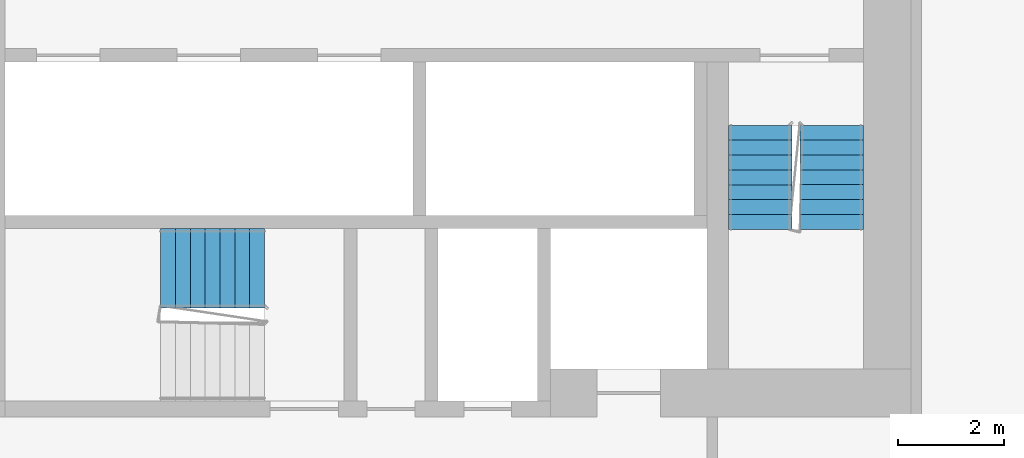
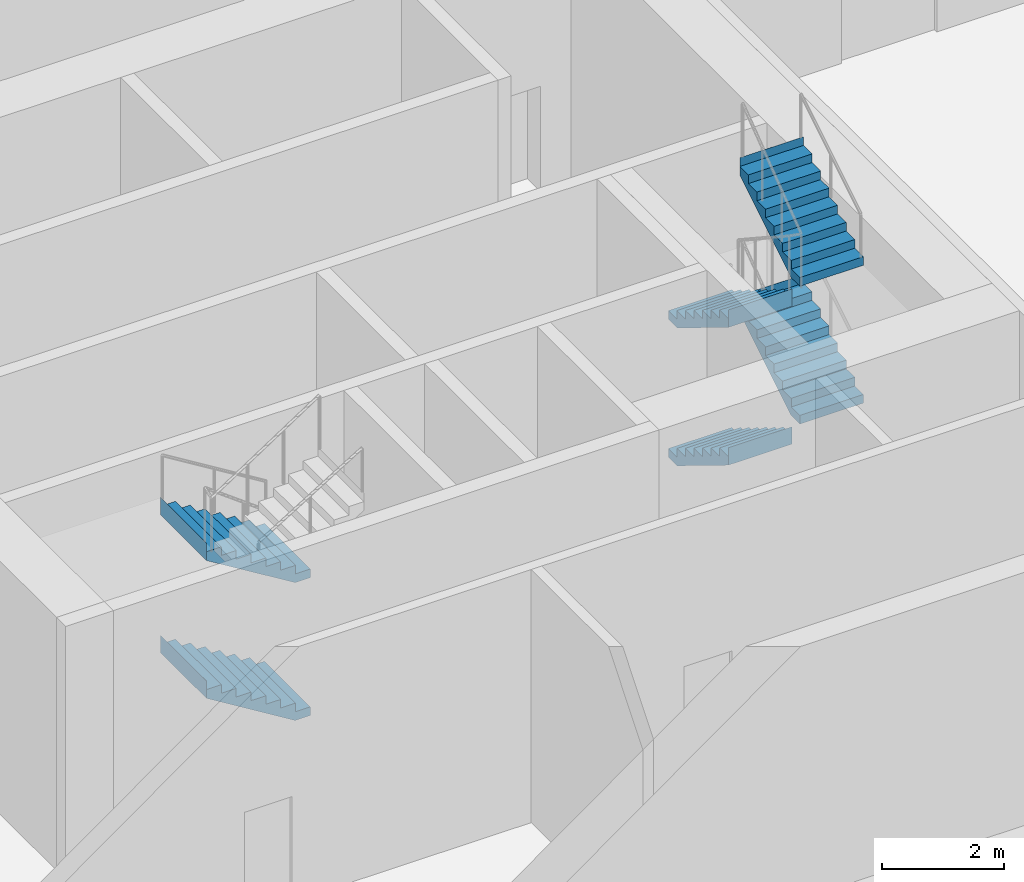
# One storey, part 15 of 21: 6 stair flights, 2 elements without a shape of their own.
"""IFC4 building model written with IfcOpenShell, lengths in metres."""

from ifc_helpers import new_model, si_unit, direction, frame, origin, place, context, subcontext, project, spatial, faceted_brep, material, type_object, element, aggregate, save


model = new_model("IFC4")

# Units and contexts
model_context = context("Model", 3, precision=1e-05, world=origin(), true_north=direction((0.0, 1.0)))
body_context = subcontext(model_context, "Body", "Model", "MODEL_VIEW")
ifc_project = project(units=[si_unit("LENGTHUNIT", "METRE"), si_unit("AREAUNIT", "SQUARE_METRE"), si_unit("VOLUMEUNIT", "CUBIC_METRE"), si_unit("PLANEANGLEUNIT", "RADIAN"), si_unit("MASSUNIT", "GRAM", prefix="KILO")], contexts=[model_context])

# Site, building, storey
site_placement = place(None, origin())
site = spatial("IfcSite", under=ifc_project, at=site_placement, CompositionType="ELEMENT")
building_placement = place(site_placement, origin())
building = spatial("IfcBuilding", under=site, at=building_placement, Name="Kajstack Hotel Tower", CompositionType="ELEMENT")
storey_placement = place(building_placement, frame((0.0, 0.0, 23.5)))
storey = spatial("IfcBuildingStorey", under=building, at=storey_placement, Name="L03", CompositionType="ELEMENT", Elevation=23.5)

# Stair, stair flights
ifc_material = material(Name="Concrete C40/50", Category="concrete")
stair_type_1 = type_object("IfcStairType", Name="Exit stair 1200", PredefinedType="HALF_TURN_STAIR", material=ifc_material)
stair_1_placement = place(storey_placement, origin())
stair_1 = element("IfcStair", 1, at=stair_1_placement, inside=storey, type_object=stair_type_1, Name="L03 stair W2", PredefinedType="HALF_TURN_STAIR")
stair_flight_type_1 = type_object("IfcStairFlightType", Name="Exit stair flight 1200", PredefinedType="STRAIGHT", material=ifc_material)
stair_flight_1_placement = place(storey_placement, frame((-16.35009765625, -10.0, 0.0), z_axis=(0.0, 0.0, 1.0), x_axis=(0.0, -1.0, 0.0)))
stair_flight_1 = element("IfcStairFlight", 2, at=stair_flight_1_placement, type_object=stair_flight_type_1, Name="W2 flight 1", NumberOfRisers=8, NumberOfTreads=7, PredefinedType="STRAIGHT", RiserHeight=0.171875, TreadLength=0.28, context=body_context, shape_type="Brep", body=[
    faceted_brep([(0.287109375, -0.60009765625, 0.0), (1.96044921875, -0.60009765625, 1.02734375), (1.96044921875, -0.60009765625, 1.375), (1.9599609375, -0.60009765625, 1.375), (1.9599609375, -0.60009765625, 1.203125), (1.679931640625, -0.60009765625, 1.203125), (1.679931640625, -0.60009765625, 1.03125), (1.39990234375, -0.60009765625, 1.03125), (1.39990234375, -0.60009765625, 0.859375), (1.1201171875, -0.60009765625, 0.859375), (1.1201171875, -0.60009765625, 0.6875), (0.840087890625, -0.60009765625, 0.6875), (0.840087890625, -0.60009765625, 0.515625), (0.56005859375, -0.60009765625, 0.515625), (0.56005859375, -0.60009765625, 0.34375), (0.280029296875, -0.60009765625, 0.34375), (0.280029296875, -0.60009765625, 0.171875), (-0.00048828125, -0.60009765625, 0.171875), (-0.00048828125, -0.60009765625, 0.0), (-0.00048828125, 0.60009765625, 0.0), (-0.00048828125, 0.60009765625, 0.171875), (0.280029296875, 0.60009765625, 0.171875), (0.280029296875, 0.60009765625, 0.34375), (0.56005859375, 0.60009765625, 0.34375), (0.56005859375, 0.60009765625, 0.515625), (0.840087890625, 0.60009765625, 0.515625), (0.840087890625, 0.60009765625, 0.6875), (1.1201171875, 0.60009765625, 0.6875), (1.1201171875, 0.60009765625, 0.859375), (1.39990234375, 0.60009765625, 0.859375), (1.39990234375, 0.60009765625, 1.03125), (1.679931640625, 0.60009765625, 1.03125), (1.679931640625, 0.60009765625, 1.203125), (1.9599609375, 0.60009765625, 1.203125), (1.9599609375, 0.60009765625, 1.375), (1.96044921875, 0.60009765625, 1.375), (1.96044921875, 0.60009765625, 1.02734375), (0.287109375, 0.60009765625, 0.0), (-0.00048828125, -0.300048828125, 0.171875), (-0.00048828125, 0.0, 0.171875), (-0.00048828125, 0.300048828125, 0.171875), (-0.00048828125, 0.300048828125, 0.0), (-0.00048828125, 0.0, 0.0), (-0.00048828125, -0.300048828125, 0.0), (0.280029296875, -0.300048828125, 0.171875), (0.280029296875, 0.0, 0.171875), (0.280029296875, 0.300048828125, 0.171875), (0.280029296875, -0.300048828125, 0.34375), (0.280029296875, 0.0, 0.34375), (0.280029296875, 0.300048828125, 0.34375), (0.56005859375, -0.300048828125, 0.34375), (0.56005859375, 0.0, 0.34375), (0.56005859375, 0.300048828125, 0.34375), (0.56005859375, -0.300048828125, 0.515625), (0.56005859375, 0.0, 0.515625), (0.56005859375, 0.300048828125, 0.515625), (0.840087890625, -0.300048828125, 0.515625), (0.840087890625, 0.0, 0.515625), (0.840087890625, 0.300048828125, 0.515625), (0.840087890625, -0.300048828125, 0.6875), (0.840087890625, 0.0, 0.6875), (0.840087890625, 0.300048828125, 0.6875), (1.1201171875, -0.300048828125, 0.6875), (1.1201171875, 0.0, 0.6875), (1.1201171875, 0.300048828125, 0.6875), (1.1201171875, -0.300048828125, 0.859375), (1.1201171875, 0.0, 0.859375), (1.1201171875, 0.300048828125, 0.859375), (1.39990234375, -0.300048828125, 0.859375), (1.39990234375, 0.0, 0.859375), (1.39990234375, 0.300048828125, 0.859375), (1.39990234375, -0.300048828125, 1.03125), (1.39990234375, 0.0, 1.03125), (1.39990234375, 0.300048828125, 1.03125), (1.679931640625, -0.300048828125, 1.03125), (1.679931640625, 0.0, 1.03125), (1.679931640625, 0.300048828125, 1.03125), (1.679931640625, -0.300048828125, 1.203125), (1.679931640625, 0.0, 1.203125), (1.679931640625, 0.300048828125, 1.203125), (1.9599609375, -0.300048828125, 1.203125), (1.9599609375, 0.0, 1.203125), (1.9599609375, 0.300048828125, 1.203125), (1.9599609375, -0.300048828125, 1.375), (1.9599609375, 0.0, 1.375), (1.9599609375, 0.300048828125, 1.375), (1.96044921875, -0.300048828125, 1.375), (1.96044921875, 0.0, 1.375), (1.96044921875, 0.300048828125, 1.375), (1.96044921875, -0.300048828125, 1.02734375), (1.96044921875, 0.0, 1.02734375), (1.96044921875, 0.300048828125, 1.02734375), (0.287109375, -0.300048828125, 0.0), (0.287109375, 0.0, 0.0), (0.287109375, 0.300048828125, 0.0)], [[[0, 1, 2, 3, 4, 5, 6, 7, 8, 9, 10, 11, 12, 13, 14, 15, 16, 17, 18]], [[19, 20, 21, 22, 23, 24, 25, 26, 27, 28, 29, 30, 31, 32, 33, 34, 35, 36, 37]], [[17, 38, 39, 40, 20, 19, 41, 42, 43, 18]], [[16, 44, 45, 46, 21, 20, 40, 39, 38, 17]], [[15, 47, 48, 49, 22, 21, 46, 45, 44, 16]], [[14, 50, 51, 52, 23, 22, 49, 48, 47, 15]], [[13, 53, 54, 55, 24, 23, 52, 51, 50, 14]], [[12, 56, 57, 58, 25, 24, 55, 54, 53, 13]], [[11, 59, 60, 61, 26, 25, 58, 57, 56, 12]], [[10, 62, 63, 64, 27, 26, 61, 60, 59, 11]], [[9, 65, 66, 67, 28, 27, 64, 63, 62, 10]], [[8, 68, 69, 70, 29, 28, 67, 66, 65, 9]], [[7, 71, 72, 73, 30, 29, 70, 69, 68, 8]], [[6, 74, 75, 76, 31, 30, 73, 72, 71, 7]], [[5, 77, 78, 79, 32, 31, 76, 75, 74, 6]], [[4, 80, 81, 82, 33, 32, 79, 78, 77, 5]], [[3, 83, 84, 85, 34, 33, 82, 81, 80, 4]], [[2, 86, 87, 88, 35, 34, 85, 84, 83, 3]], [[1, 89, 90, 91, 36, 35, 88, 87, 86, 2]], [[0, 92, 93, 94, 37, 36, 91, 90, 89, 1]], [[18, 43, 42, 41, 19, 37, 94, 93, 92, 0]]]),
])
stair_flight_2_placement = place(storey_placement, frame((-15.0, -11.9599609375, 1.375), z_axis=(0.0, 0.0, 1.0), x_axis=(0.0, 1.0, 0.0)))
stair_flight_2 = element("IfcStairFlight", 3, at=stair_flight_2_placement, type_object=stair_flight_type_1, Name="W2 flight 2", NumberOfRisers=8, NumberOfTreads=7, PredefinedType="STRAIGHT", RiserHeight=0.171875, TreadLength=0.28, context=body_context, shape_type="Brep", body=[
    faceted_brep([(0.287109375, -0.60009765625, 0.0), (1.96044921875, -0.60009765625, 1.02734375), (1.96044921875, -0.60009765625, 1.375), (1.9599609375, -0.60009765625, 1.375), (1.9599609375, -0.60009765625, 1.203125), (1.679931640625, -0.60009765625, 1.203125), (1.679931640625, -0.60009765625, 1.03125), (1.39990234375, -0.60009765625, 1.03125), (1.39990234375, -0.60009765625, 0.859375), (1.1201171875, -0.60009765625, 0.859375), (1.1201171875, -0.60009765625, 0.6875), (0.840087890625, -0.60009765625, 0.6875), (0.840087890625, -0.60009765625, 0.515625), (0.56005859375, -0.60009765625, 0.515625), (0.56005859375, -0.60009765625, 0.34375), (0.280029296875, -0.60009765625, 0.34375), (0.280029296875, -0.60009765625, 0.171875), (-0.00048828125, -0.60009765625, 0.171875), (-0.00048828125, -0.60009765625, 0.0), (-0.00048828125, 0.60009765625, 0.0), (-0.00048828125, 0.60009765625, 0.171875), (0.280029296875, 0.60009765625, 0.171875), (0.280029296875, 0.60009765625, 0.34375), (0.56005859375, 0.60009765625, 0.34375), (0.56005859375, 0.60009765625, 0.515625), (0.840087890625, 0.60009765625, 0.515625), (0.840087890625, 0.60009765625, 0.6875), (1.1201171875, 0.60009765625, 0.6875), (1.1201171875, 0.60009765625, 0.859375), (1.39990234375, 0.60009765625, 0.859375), (1.39990234375, 0.60009765625, 1.03125), (1.679931640625, 0.60009765625, 1.03125), (1.679931640625, 0.60009765625, 1.203125), (1.9599609375, 0.60009765625, 1.203125), (1.9599609375, 0.60009765625, 1.375), (1.96044921875, 0.60009765625, 1.375), (1.96044921875, 0.60009765625, 1.02734375), (0.287109375, 0.60009765625, 0.0), (-0.00048828125, -0.300048828125, 0.171875), (-0.00048828125, 0.0, 0.171875), (-0.00048828125, 0.300048828125, 0.171875), (-0.00048828125, 0.300048828125, 0.0), (-0.00048828125, 0.0, 0.0), (-0.00048828125, -0.300048828125, 0.0), (0.280029296875, -0.300048828125, 0.171875), (0.280029296875, 0.0, 0.171875), (0.280029296875, 0.300048828125, 0.171875), (0.280029296875, -0.300048828125, 0.34375), (0.280029296875, 0.0, 0.34375), (0.280029296875, 0.300048828125, 0.34375), (0.56005859375, -0.300048828125, 0.34375), (0.56005859375, 0.0, 0.34375), (0.56005859375, 0.300048828125, 0.34375), (0.56005859375, -0.300048828125, 0.515625), (0.56005859375, 0.0, 0.515625), (0.56005859375, 0.300048828125, 0.515625), (0.840087890625, -0.300048828125, 0.515625), (0.840087890625, 0.0, 0.515625), (0.840087890625, 0.300048828125, 0.515625), (0.840087890625, -0.300048828125, 0.6875), (0.840087890625, 0.0, 0.6875), (0.840087890625, 0.300048828125, 0.6875), (1.1201171875, -0.300048828125, 0.6875), (1.1201171875, 0.0, 0.6875), (1.1201171875, 0.300048828125, 0.6875), (1.1201171875, -0.300048828125, 0.859375), (1.1201171875, 0.0, 0.859375), (1.1201171875, 0.300048828125, 0.859375), (1.39990234375, -0.300048828125, 0.859375), (1.39990234375, 0.0, 0.859375), (1.39990234375, 0.300048828125, 0.859375), (1.39990234375, -0.300048828125, 1.03125), (1.39990234375, 0.0, 1.03125), (1.39990234375, 0.300048828125, 1.03125), (1.679931640625, -0.300048828125, 1.03125), (1.679931640625, 0.0, 1.03125), (1.679931640625, 0.300048828125, 1.03125), (1.679931640625, -0.300048828125, 1.203125), (1.679931640625, 0.0, 1.203125), (1.679931640625, 0.300048828125, 1.203125), (1.9599609375, -0.300048828125, 1.203125), (1.9599609375, 0.0, 1.203125), (1.9599609375, 0.300048828125, 1.203125), (1.9599609375, -0.300048828125, 1.375), (1.9599609375, 0.0, 1.375), (1.9599609375, 0.300048828125, 1.375), (1.96044921875, -0.300048828125, 1.375), (1.96044921875, 0.0, 1.375), (1.96044921875, 0.300048828125, 1.375), (1.96044921875, -0.300048828125, 1.02734375), (1.96044921875, 0.0, 1.02734375), (1.96044921875, 0.300048828125, 1.02734375), (0.287109375, -0.300048828125, 0.0), (0.287109375, 0.0, 0.0), (0.287109375, 0.300048828125, 0.0)], [[[0, 1, 2, 3, 4, 5, 6, 7, 8, 9, 10, 11, 12, 13, 14, 15, 16, 17, 18]], [[19, 20, 21, 22, 23, 24, 25, 26, 27, 28, 29, 30, 31, 32, 33, 34, 35, 36, 37]], [[17, 38, 39, 40, 20, 19, 41, 42, 43, 18]], [[16, 44, 45, 46, 21, 20, 40, 39, 38, 17]], [[15, 47, 48, 49, 22, 21, 46, 45, 44, 16]], [[14, 50, 51, 52, 23, 22, 49, 48, 47, 15]], [[13, 53, 54, 55, 24, 23, 52, 51, 50, 14]], [[12, 56, 57, 58, 25, 24, 55, 54, 53, 13]], [[11, 59, 60, 61, 26, 25, 58, 57, 56, 12]], [[10, 62, 63, 64, 27, 26, 61, 60, 59, 11]], [[9, 65, 66, 67, 28, 27, 64, 63, 62, 10]], [[8, 68, 69, 70, 29, 28, 67, 66, 65, 9]], [[7, 71, 72, 73, 30, 29, 70, 69, 68, 8]], [[6, 74, 75, 76, 31, 30, 73, 72, 71, 7]], [[5, 77, 78, 79, 32, 31, 76, 75, 74, 6]], [[4, 80, 81, 82, 33, 32, 79, 78, 77, 5]], [[3, 83, 84, 85, 34, 33, 82, 81, 80, 4]], [[2, 86, 87, 88, 35, 34, 85, 84, 83, 3]], [[1, 89, 90, 91, 36, 35, 88, 87, 86, 2]], [[0, 92, 93, 94, 37, 36, 91, 90, 89, 1]], [[18, 43, 42, 41, 19, 37, 94, 93, 92, 0]]]),
])
stair_flight_3_placement = place(storey_placement, frame((-16.35009765625, -10.0, 2.75), z_axis=(0.0, 0.0, 1.0), x_axis=(0.0, -1.0, 0.0)))
stair_flight_3 = element("IfcStairFlight", 4, at=stair_flight_3_placement, type_object=stair_flight_type_1, Name="W2 flight 3", NumberOfRisers=8, NumberOfTreads=7, PredefinedType="STRAIGHT", RiserHeight=0.171875, TreadLength=0.28, context=body_context, shape_type="Brep", body=[
    faceted_brep([(0.287109375, -0.60009765625, 0.0), (1.96044921875, -0.60009765625, 1.02734375), (1.96044921875, -0.60009765625, 1.375), (1.9599609375, -0.60009765625, 1.375), (1.9599609375, -0.60009765625, 1.203125), (1.679931640625, -0.60009765625, 1.203125), (1.679931640625, -0.60009765625, 1.03125), (1.39990234375, -0.60009765625, 1.03125), (1.39990234375, -0.60009765625, 0.859375), (1.1201171875, -0.60009765625, 0.859375), (1.1201171875, -0.60009765625, 0.6875), (0.840087890625, -0.60009765625, 0.6875), (0.840087890625, -0.60009765625, 0.515625), (0.56005859375, -0.60009765625, 0.515625), (0.56005859375, -0.60009765625, 0.34375), (0.280029296875, -0.60009765625, 0.34375), (0.280029296875, -0.60009765625, 0.171875), (-0.00048828125, -0.60009765625, 0.171875), (-0.00048828125, -0.60009765625, 0.0), (-0.00048828125, 0.60009765625, 0.0), (-0.00048828125, 0.60009765625, 0.171875), (0.280029296875, 0.60009765625, 0.171875), (0.280029296875, 0.60009765625, 0.34375), (0.56005859375, 0.60009765625, 0.34375), (0.56005859375, 0.60009765625, 0.515625), (0.840087890625, 0.60009765625, 0.515625), (0.840087890625, 0.60009765625, 0.6875), (1.1201171875, 0.60009765625, 0.6875), (1.1201171875, 0.60009765625, 0.859375), (1.39990234375, 0.60009765625, 0.859375), (1.39990234375, 0.60009765625, 1.03125), (1.679931640625, 0.60009765625, 1.03125), (1.679931640625, 0.60009765625, 1.203125), (1.9599609375, 0.60009765625, 1.203125), (1.9599609375, 0.60009765625, 1.375), (1.96044921875, 0.60009765625, 1.375), (1.96044921875, 0.60009765625, 1.02734375), (0.287109375, 0.60009765625, 0.0), (-0.00048828125, -0.300048828125, 0.171875), (-0.00048828125, 0.0, 0.171875), (-0.00048828125, 0.300048828125, 0.171875), (-0.00048828125, 0.300048828125, 0.0), (-0.00048828125, 0.0, 0.0), (-0.00048828125, -0.300048828125, 0.0), (0.280029296875, -0.300048828125, 0.171875), (0.280029296875, 0.0, 0.171875), (0.280029296875, 0.300048828125, 0.171875), (0.280029296875, -0.300048828125, 0.34375), (0.280029296875, 0.0, 0.34375), (0.280029296875, 0.300048828125, 0.34375), (0.56005859375, -0.300048828125, 0.34375), (0.56005859375, 0.0, 0.34375), (0.56005859375, 0.300048828125, 0.34375), (0.56005859375, -0.300048828125, 0.515625), (0.56005859375, 0.0, 0.515625), (0.56005859375, 0.300048828125, 0.515625), (0.840087890625, -0.300048828125, 0.515625), (0.840087890625, 0.0, 0.515625), (0.840087890625, 0.300048828125, 0.515625), (0.840087890625, -0.300048828125, 0.6875), (0.840087890625, 0.0, 0.6875), (0.840087890625, 0.300048828125, 0.6875), (1.1201171875, -0.300048828125, 0.6875), (1.1201171875, 0.0, 0.6875), (1.1201171875, 0.300048828125, 0.6875), (1.1201171875, -0.300048828125, 0.859375), (1.1201171875, 0.0, 0.859375), (1.1201171875, 0.300048828125, 0.859375), (1.39990234375, -0.300048828125, 0.859375), (1.39990234375, 0.0, 0.859375), (1.39990234375, 0.300048828125, 0.859375), (1.39990234375, -0.300048828125, 1.03125), (1.39990234375, 0.0, 1.03125), (1.39990234375, 0.300048828125, 1.03125), (1.679931640625, -0.300048828125, 1.03125), (1.679931640625, 0.0, 1.03125), (1.679931640625, 0.300048828125, 1.03125), (1.679931640625, -0.300048828125, 1.203125), (1.679931640625, 0.0, 1.203125), (1.679931640625, 0.300048828125, 1.203125), (1.9599609375, -0.300048828125, 1.203125), (1.9599609375, 0.0, 1.203125), (1.9599609375, 0.300048828125, 1.203125), (1.9599609375, -0.300048828125, 1.375), (1.9599609375, 0.0, 1.375), (1.9599609375, 0.300048828125, 1.375), (1.96044921875, -0.300048828125, 1.375), (1.96044921875, 0.0, 1.375), (1.96044921875, 0.300048828125, 1.375), (1.96044921875, -0.300048828125, 1.02734375), (1.96044921875, 0.0, 1.02734375), (1.96044921875, 0.300048828125, 1.02734375), (0.287109375, -0.300048828125, 0.0), (0.287109375, 0.0, 0.0), (0.287109375, 0.300048828125, 0.0)], [[[0, 1, 2, 3, 4, 5, 6, 7, 8, 9, 10, 11, 12, 13, 14, 15, 16, 17, 18]], [[19, 20, 21, 22, 23, 24, 25, 26, 27, 28, 29, 30, 31, 32, 33, 34, 35, 36, 37]], [[17, 38, 39, 40, 20, 19, 41, 42, 43, 18]], [[16, 44, 45, 46, 21, 20, 40, 39, 38, 17]], [[15, 47, 48, 49, 22, 21, 46, 45, 44, 16]], [[14, 50, 51, 52, 23, 22, 49, 48, 47, 15]], [[13, 53, 54, 55, 24, 23, 52, 51, 50, 14]], [[12, 56, 57, 58, 25, 24, 55, 54, 53, 13]], [[11, 59, 60, 61, 26, 25, 58, 57, 56, 12]], [[10, 62, 63, 64, 27, 26, 61, 60, 59, 11]], [[9, 65, 66, 67, 28, 27, 64, 63, 62, 10]], [[8, 68, 69, 70, 29, 28, 67, 66, 65, 9]], [[7, 71, 72, 73, 30, 29, 70, 69, 68, 8]], [[6, 74, 75, 76, 31, 30, 73, 72, 71, 7]], [[5, 77, 78, 79, 32, 31, 76, 75, 74, 6]], [[4, 80, 81, 82, 33, 32, 79, 78, 77, 5]], [[3, 83, 84, 85, 34, 33, 82, 81, 80, 4]], [[2, 86, 87, 88, 35, 34, 85, 84, 83, 3]], [[1, 89, 90, 91, 36, 35, 88, 87, 86, 2]], [[0, 92, 93, 94, 37, 36, 91, 90, 89, 1]], [[18, 43, 42, 41, 19, 37, 94, 93, 92, 0]]]),
])
stair_flight_4_placement = place(storey_placement, frame((-15.0, -11.9599609375, 4.125), z_axis=(0.0, 0.0, 1.0), x_axis=(0.0, 1.0, 0.0)))
stair_flight_4 = element("IfcStairFlight", 5, at=stair_flight_4_placement, type_object=stair_flight_type_1, Name="W2 flight 4", NumberOfRisers=8, NumberOfTreads=7, PredefinedType="STRAIGHT", RiserHeight=0.171875, TreadLength=0.28, context=body_context, shape_type="Brep", body=[
    faceted_brep([(0.287109375, -0.60009765625, 0.0), (1.96044921875, -0.60009765625, 1.02734375), (1.96044921875, -0.60009765625, 1.375), (1.9599609375, -0.60009765625, 1.375), (1.9599609375, -0.60009765625, 1.203125), (1.679931640625, -0.60009765625, 1.203125), (1.679931640625, -0.60009765625, 1.03125), (1.39990234375, -0.60009765625, 1.03125), (1.39990234375, -0.60009765625, 0.859375), (1.1201171875, -0.60009765625, 0.859375), (1.1201171875, -0.60009765625, 0.6875), (0.840087890625, -0.60009765625, 0.6875), (0.840087890625, -0.60009765625, 0.515625), (0.56005859375, -0.60009765625, 0.515625), (0.56005859375, -0.60009765625, 0.34375), (0.280029296875, -0.60009765625, 0.34375), (0.280029296875, -0.60009765625, 0.171875), (-0.00048828125, -0.60009765625, 0.171875), (-0.00048828125, -0.60009765625, 0.0), (-0.00048828125, 0.60009765625, 0.0), (-0.00048828125, 0.60009765625, 0.171875), (0.280029296875, 0.60009765625, 0.171875), (0.280029296875, 0.60009765625, 0.34375), (0.56005859375, 0.60009765625, 0.34375), (0.56005859375, 0.60009765625, 0.515625), (0.840087890625, 0.60009765625, 0.515625), (0.840087890625, 0.60009765625, 0.6875), (1.1201171875, 0.60009765625, 0.6875), (1.1201171875, 0.60009765625, 0.859375), (1.39990234375, 0.60009765625, 0.859375), (1.39990234375, 0.60009765625, 1.03125), (1.679931640625, 0.60009765625, 1.03125), (1.679931640625, 0.60009765625, 1.203125), (1.9599609375, 0.60009765625, 1.203125), (1.9599609375, 0.60009765625, 1.375), (1.96044921875, 0.60009765625, 1.375), (1.96044921875, 0.60009765625, 1.02734375), (0.287109375, 0.60009765625, 0.0), (-0.00048828125, -0.300048828125, 0.171875), (-0.00048828125, 0.0, 0.171875), (-0.00048828125, 0.300048828125, 0.171875), (-0.00048828125, 0.300048828125, 0.0), (-0.00048828125, 0.0, 0.0), (-0.00048828125, -0.300048828125, 0.0), (0.280029296875, -0.300048828125, 0.171875), (0.280029296875, 0.0, 0.171875), (0.280029296875, 0.300048828125, 0.171875), (0.280029296875, -0.300048828125, 0.34375), (0.280029296875, 0.0, 0.34375), (0.280029296875, 0.300048828125, 0.34375), (0.56005859375, -0.300048828125, 0.34375), (0.56005859375, 0.0, 0.34375), (0.56005859375, 0.300048828125, 0.34375), (0.56005859375, -0.300048828125, 0.515625), (0.56005859375, 0.0, 0.515625), (0.56005859375, 0.300048828125, 0.515625), (0.840087890625, -0.300048828125, 0.515625), (0.840087890625, 0.0, 0.515625), (0.840087890625, 0.300048828125, 0.515625), (0.840087890625, -0.300048828125, 0.6875), (0.840087890625, 0.0, 0.6875), (0.840087890625, 0.300048828125, 0.6875), (1.1201171875, -0.300048828125, 0.6875), (1.1201171875, 0.0, 0.6875), (1.1201171875, 0.300048828125, 0.6875), (1.1201171875, -0.300048828125, 0.859375), (1.1201171875, 0.0, 0.859375), (1.1201171875, 0.300048828125, 0.859375), (1.39990234375, -0.300048828125, 0.859375), (1.39990234375, 0.0, 0.859375), (1.39990234375, 0.300048828125, 0.859375), (1.39990234375, -0.300048828125, 1.03125), (1.39990234375, 0.0, 1.03125), (1.39990234375, 0.300048828125, 1.03125), (1.679931640625, -0.300048828125, 1.03125), (1.679931640625, 0.0, 1.03125), (1.679931640625, 0.300048828125, 1.03125), (1.679931640625, -0.300048828125, 1.203125), (1.679931640625, 0.0, 1.203125), (1.679931640625, 0.300048828125, 1.203125), (1.9599609375, -0.300048828125, 1.203125), (1.9599609375, 0.0, 1.203125), (1.9599609375, 0.300048828125, 1.203125), (1.9599609375, -0.300048828125, 1.375), (1.9599609375, 0.0, 1.375), (1.9599609375, 0.300048828125, 1.375), (1.96044921875, -0.300048828125, 1.375), (1.96044921875, 0.0, 1.375), (1.96044921875, 0.300048828125, 1.375), (1.96044921875, -0.300048828125, 1.02734375), (1.96044921875, 0.0, 1.02734375), (1.96044921875, 0.300048828125, 1.02734375), (0.287109375, -0.300048828125, 0.0), (0.287109375, 0.0, 0.0), (0.287109375, 0.300048828125, 0.0)], [[[0, 1, 2, 3, 4, 5, 6, 7, 8, 9, 10, 11, 12, 13, 14, 15, 16, 17, 18]], [[19, 20, 21, 22, 23, 24, 25, 26, 27, 28, 29, 30, 31, 32, 33, 34, 35, 36, 37]], [[17, 38, 39, 40, 20, 19, 41, 42, 43, 18]], [[16, 44, 45, 46, 21, 20, 40, 39, 38, 17]], [[15, 47, 48, 49, 22, 21, 46, 45, 44, 16]], [[14, 50, 51, 52, 23, 22, 49, 48, 47, 15]], [[13, 53, 54, 55, 24, 23, 52, 51, 50, 14]], [[12, 56, 57, 58, 25, 24, 55, 54, 53, 13]], [[11, 59, 60, 61, 26, 25, 58, 57, 56, 12]], [[10, 62, 63, 64, 27, 26, 61, 60, 59, 11]], [[9, 65, 66, 67, 28, 27, 64, 63, 62, 10]], [[8, 68, 69, 70, 29, 28, 67, 66, 65, 9]], [[7, 71, 72, 73, 30, 29, 70, 69, 68, 8]], [[6, 74, 75, 76, 31, 30, 73, 72, 71, 7]], [[5, 77, 78, 79, 32, 31, 76, 75, 74, 6]], [[4, 80, 81, 82, 33, 32, 79, 78, 77, 5]], [[3, 83, 84, 85, 34, 33, 82, 81, 80, 4]], [[2, 86, 87, 88, 35, 34, 85, 84, 83, 3]], [[1, 89, 90, 91, 36, 35, 88, 87, 86, 2]], [[0, 92, 93, 94, 37, 36, 91, 90, 89, 1]], [[18, 43, 42, 41, 19, 37, 94, 93, 92, 0]]]),
])
aggregate(stair_1, [stair_flight_1, stair_flight_2, stair_flight_3, stair_flight_4])

stair_type_2 = type_object("IfcStairType", Name="Exit stair 1500", PredefinedType="HALF_TURN_STAIR", material=ifc_material)
stair_2_placement = place(storey_placement, origin())
stair_2 = element("IfcStair", 6, at=stair_2_placement, inside=storey, type_object=stair_type_2, Name="L03 stair W3", PredefinedType="HALF_TURN_STAIR")
stair_flight_type_2 = type_object("IfcStairFlightType", Name="Exit stair flight 1500", PredefinedType="STRAIGHT", material=ifc_material)
stair_flight_5_placement = place(storey_placement, frame((-25.699951171875, -12.699951171875, 0.0), z_axis=(0.0, 0.0, 1.0), x_axis=(-1.0, 0.0, 0.0)))
stair_flight_5 = element("IfcStairFlight", 7, at=stair_flight_5_placement, type_object=stair_flight_type_2, Name="W3 flight 1", NumberOfRisers=8, NumberOfTreads=7, PredefinedType="STRAIGHT", RiserHeight=0.171875, TreadLength=0.28, context=body_context, shape_type="Brep", body=[
    faceted_brep([(0.287109375, -0.75, 0.0), (1.96044921875, -0.75, 1.02734375), (1.96044921875, -0.75, 1.375), (1.9599609375, -0.75, 1.375), (1.9599609375, -0.75, 1.203125), (1.679931640625, -0.75, 1.203125), (1.679931640625, -0.75, 1.03125), (1.39990234375, -0.75, 1.03125), (1.39990234375, -0.75, 0.859375), (1.1201171875, -0.75, 0.859375), (1.1201171875, -0.75, 0.6875), (0.840087890625, -0.75, 0.6875), (0.840087890625, -0.75, 0.515625), (0.56005859375, -0.75, 0.515625), (0.56005859375, -0.75, 0.34375), (0.280029296875, -0.75, 0.34375), (0.280029296875, -0.75, 0.171875), (-0.00048828125, -0.75, 0.171875), (-0.00048828125, -0.75, 0.0), (-0.00048828125, 0.75, 0.0), (-0.00048828125, 0.75, 0.171875), (0.280029296875, 0.75, 0.171875), (0.280029296875, 0.75, 0.34375), (0.56005859375, 0.75, 0.34375), (0.56005859375, 0.75, 0.515625), (0.840087890625, 0.75, 0.515625), (0.840087890625, 0.75, 0.6875), (1.1201171875, 0.75, 0.6875), (1.1201171875, 0.75, 0.859375), (1.39990234375, 0.75, 0.859375), (1.39990234375, 0.75, 1.03125), (1.679931640625, 0.75, 1.03125), (1.679931640625, 0.75, 1.203125), (1.9599609375, 0.75, 1.203125), (1.9599609375, 0.75, 1.375), (1.96044921875, 0.75, 1.375), (1.96044921875, 0.75, 1.02734375), (0.287109375, 0.75, 0.0), (-0.00048828125, -0.375, 0.171875), (-0.00048828125, 0.0, 0.171875), (-0.00048828125, 0.375, 0.171875), (-0.00048828125, 0.375, 0.0), (-0.00048828125, 0.0, 0.0), (-0.00048828125, -0.375, 0.0), (0.280029296875, -0.375, 0.171875), (0.280029296875, 0.0, 0.171875), (0.280029296875, 0.375, 0.171875), (0.280029296875, -0.375, 0.34375), (0.280029296875, 0.0, 0.34375), (0.280029296875, 0.375, 0.34375), (0.56005859375, -0.375, 0.34375), (0.56005859375, 0.0, 0.34375), (0.56005859375, 0.375, 0.34375), (0.56005859375, -0.375, 0.515625), (0.56005859375, 0.0, 0.515625), (0.56005859375, 0.375, 0.515625), (0.840087890625, -0.375, 0.515625), (0.840087890625, 0.0, 0.515625), (0.840087890625, 0.375, 0.515625), (0.840087890625, -0.375, 0.6875), (0.840087890625, 0.0, 0.6875), (0.840087890625, 0.375, 0.6875), (1.1201171875, -0.375, 0.6875), (1.1201171875, 0.0, 0.6875), (1.1201171875, 0.375, 0.6875), (1.1201171875, -0.375, 0.859375), (1.1201171875, 0.0, 0.859375), (1.1201171875, 0.375, 0.859375), (1.39990234375, -0.375, 0.859375), (1.39990234375, 0.0, 0.859375), (1.39990234375, 0.375, 0.859375), (1.39990234375, -0.375, 1.03125), (1.39990234375, 0.0, 1.03125), (1.39990234375, 0.375, 1.03125), (1.679931640625, -0.375, 1.03125), (1.679931640625, 0.0, 1.03125), (1.679931640625, 0.375, 1.03125), (1.679931640625, -0.375, 1.203125), (1.679931640625, 0.0, 1.203125), (1.679931640625, 0.375, 1.203125), (1.9599609375, -0.375, 1.203125), (1.9599609375, 0.0, 1.203125), (1.9599609375, 0.375, 1.203125), (1.9599609375, -0.375, 1.375), (1.9599609375, 0.0, 1.375), (1.9599609375, 0.375, 1.375), (1.96044921875, -0.375, 1.375), (1.96044921875, 0.0, 1.375), (1.96044921875, 0.375, 1.375), (1.96044921875, -0.375, 1.02734375), (1.96044921875, 0.0, 1.02734375), (1.96044921875, 0.375, 1.02734375), (0.287109375, -0.375, 0.0), (0.287109375, 0.0, 0.0), (0.287109375, 0.375, 0.0)], [[[0, 1, 2, 3, 4, 5, 6, 7, 8, 9, 10, 11, 12, 13, 14, 15, 16, 17, 18]], [[19, 20, 21, 22, 23, 24, 25, 26, 27, 28, 29, 30, 31, 32, 33, 34, 35, 36, 37]], [[17, 38, 39, 40, 20, 19, 41, 42, 43, 18]], [[16, 44, 45, 46, 21, 20, 40, 39, 38, 17]], [[15, 47, 48, 49, 22, 21, 46, 45, 44, 16]], [[14, 50, 51, 52, 23, 22, 49, 48, 47, 15]], [[13, 53, 54, 55, 24, 23, 52, 51, 50, 14]], [[12, 56, 57, 58, 25, 24, 55, 54, 53, 13]], [[11, 59, 60, 61, 26, 25, 58, 57, 56, 12]], [[10, 62, 63, 64, 27, 26, 61, 60, 59, 11]], [[9, 65, 66, 67, 28, 27, 64, 63, 62, 10]], [[8, 68, 69, 70, 29, 28, 67, 66, 65, 9]], [[7, 71, 72, 73, 30, 29, 70, 69, 68, 8]], [[6, 74, 75, 76, 31, 30, 73, 72, 71, 7]], [[5, 77, 78, 79, 32, 31, 76, 75, 74, 6]], [[4, 80, 81, 82, 33, 32, 79, 78, 77, 5]], [[3, 83, 84, 85, 34, 33, 82, 81, 80, 4]], [[2, 86, 87, 88, 35, 34, 85, 84, 83, 3]], [[1, 89, 90, 91, 36, 35, 88, 87, 86, 2]], [[0, 92, 93, 94, 37, 36, 91, 90, 89, 1]], [[18, 43, 42, 41, 19, 37, 94, 93, 92, 0]]]),
])
stair_flight_6_placement = place(storey_placement, frame((-25.699951171875, -12.699951171875, 2.75), z_axis=(0.0, 0.0, 1.0), x_axis=(-1.0, 0.0, 0.0)))
stair_flight_6 = element("IfcStairFlight", 8, at=stair_flight_6_placement, type_object=stair_flight_type_2, Name="W3 flight 3", NumberOfRisers=8, NumberOfTreads=7, PredefinedType="STRAIGHT", RiserHeight=0.171875, TreadLength=0.28, context=body_context, shape_type="Brep", body=[
    faceted_brep([(0.287109375, -0.75, 0.0), (1.96044921875, -0.75, 1.02734375), (1.96044921875, -0.75, 1.375), (1.9599609375, -0.75, 1.375), (1.9599609375, -0.75, 1.203125), (1.679931640625, -0.75, 1.203125), (1.679931640625, -0.75, 1.03125), (1.39990234375, -0.75, 1.03125), (1.39990234375, -0.75, 0.859375), (1.1201171875, -0.75, 0.859375), (1.1201171875, -0.75, 0.6875), (0.840087890625, -0.75, 0.6875), (0.840087890625, -0.75, 0.515625), (0.56005859375, -0.75, 0.515625), (0.56005859375, -0.75, 0.34375), (0.280029296875, -0.75, 0.34375), (0.280029296875, -0.75, 0.171875), (-0.00048828125, -0.75, 0.171875), (-0.00048828125, -0.75, 0.0), (-0.00048828125, 0.75, 0.0), (-0.00048828125, 0.75, 0.171875), (0.280029296875, 0.75, 0.171875), (0.280029296875, 0.75, 0.34375), (0.56005859375, 0.75, 0.34375), (0.56005859375, 0.75, 0.515625), (0.840087890625, 0.75, 0.515625), (0.840087890625, 0.75, 0.6875), (1.1201171875, 0.75, 0.6875), (1.1201171875, 0.75, 0.859375), (1.39990234375, 0.75, 0.859375), (1.39990234375, 0.75, 1.03125), (1.679931640625, 0.75, 1.03125), (1.679931640625, 0.75, 1.203125), (1.9599609375, 0.75, 1.203125), (1.9599609375, 0.75, 1.375), (1.96044921875, 0.75, 1.375), (1.96044921875, 0.75, 1.02734375), (0.287109375, 0.75, 0.0), (-0.00048828125, -0.375, 0.171875), (-0.00048828125, 0.0, 0.171875), (-0.00048828125, 0.375, 0.171875), (-0.00048828125, 0.375, 0.0), (-0.00048828125, 0.0, 0.0), (-0.00048828125, -0.375, 0.0), (0.280029296875, -0.375, 0.171875), (0.280029296875, 0.0, 0.171875), (0.280029296875, 0.375, 0.171875), (0.280029296875, -0.375, 0.34375), (0.280029296875, 0.0, 0.34375), (0.280029296875, 0.375, 0.34375), (0.56005859375, -0.375, 0.34375), (0.56005859375, 0.0, 0.34375), (0.56005859375, 0.375, 0.34375), (0.56005859375, -0.375, 0.515625), (0.56005859375, 0.0, 0.515625), (0.56005859375, 0.375, 0.515625), (0.840087890625, -0.375, 0.515625), (0.840087890625, 0.0, 0.515625), (0.840087890625, 0.375, 0.515625), (0.840087890625, -0.375, 0.6875), (0.840087890625, 0.0, 0.6875), (0.840087890625, 0.375, 0.6875), (1.1201171875, -0.375, 0.6875), (1.1201171875, 0.0, 0.6875), (1.1201171875, 0.375, 0.6875), (1.1201171875, -0.375, 0.859375), (1.1201171875, 0.0, 0.859375), (1.1201171875, 0.375, 0.859375), (1.39990234375, -0.375, 0.859375), (1.39990234375, 0.0, 0.859375), (1.39990234375, 0.375, 0.859375), (1.39990234375, -0.375, 1.03125), (1.39990234375, 0.0, 1.03125), (1.39990234375, 0.375, 1.03125), (1.679931640625, -0.375, 1.03125), (1.679931640625, 0.0, 1.03125), (1.679931640625, 0.375, 1.03125), (1.679931640625, -0.375, 1.203125), (1.679931640625, 0.0, 1.203125), (1.679931640625, 0.375, 1.203125), (1.9599609375, -0.375, 1.203125), (1.9599609375, 0.0, 1.203125), (1.9599609375, 0.375, 1.203125), (1.9599609375, -0.375, 1.375), (1.9599609375, 0.0, 1.375), (1.9599609375, 0.375, 1.375), (1.96044921875, -0.375, 1.375), (1.96044921875, 0.0, 1.375), (1.96044921875, 0.375, 1.375), (1.96044921875, -0.375, 1.02734375), (1.96044921875, 0.0, 1.02734375), (1.96044921875, 0.375, 1.02734375), (0.287109375, -0.375, 0.0), (0.287109375, 0.0, 0.0), (0.287109375, 0.375, 0.0)], [[[0, 1, 2, 3, 4, 5, 6, 7, 8, 9, 10, 11, 12, 13, 14, 15, 16, 17, 18]], [[19, 20, 21, 22, 23, 24, 25, 26, 27, 28, 29, 30, 31, 32, 33, 34, 35, 36, 37]], [[17, 38, 39, 40, 20, 19, 41, 42, 43, 18]], [[16, 44, 45, 46, 21, 20, 40, 39, 38, 17]], [[15, 47, 48, 49, 22, 21, 46, 45, 44, 16]], [[14, 50, 51, 52, 23, 22, 49, 48, 47, 15]], [[13, 53, 54, 55, 24, 23, 52, 51, 50, 14]], [[12, 56, 57, 58, 25, 24, 55, 54, 53, 13]], [[11, 59, 60, 61, 26, 25, 58, 57, 56, 12]], [[10, 62, 63, 64, 27, 26, 61, 60, 59, 11]], [[9, 65, 66, 67, 28, 27, 64, 63, 62, 10]], [[8, 68, 69, 70, 29, 28, 67, 66, 65, 9]], [[7, 71, 72, 73, 30, 29, 70, 69, 68, 8]], [[6, 74, 75, 76, 31, 30, 73, 72, 71, 7]], [[5, 77, 78, 79, 32, 31, 76, 75, 74, 6]], [[4, 80, 81, 82, 33, 32, 79, 78, 77, 5]], [[3, 83, 84, 85, 34, 33, 82, 81, 80, 4]], [[2, 86, 87, 88, 35, 34, 85, 84, 83, 3]], [[1, 89, 90, 91, 36, 35, 88, 87, 86, 2]], [[0, 92, 93, 94, 37, 36, 91, 90, 89, 1]], [[18, 43, 42, 41, 19, 37, 94, 93, 92, 0]]]),
])
aggregate(stair_2, [stair_flight_5, stair_flight_6])

save(model, "model.ifc")
